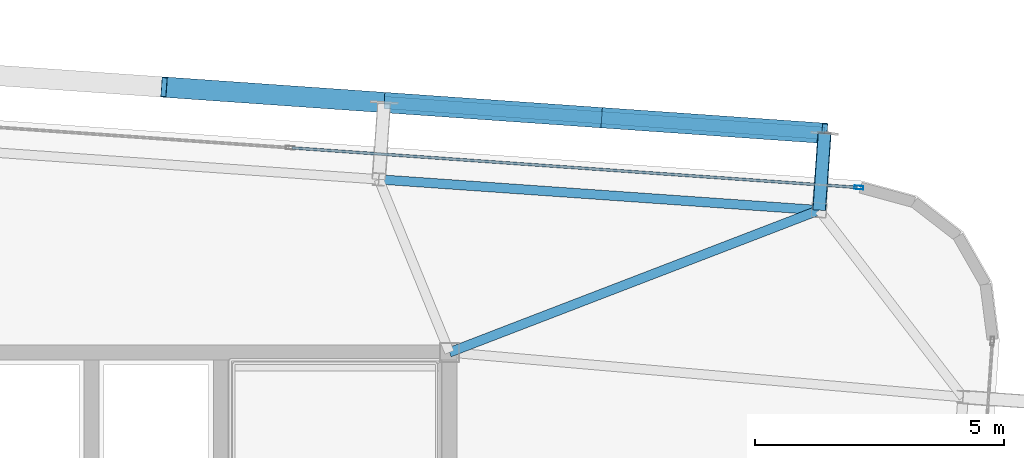
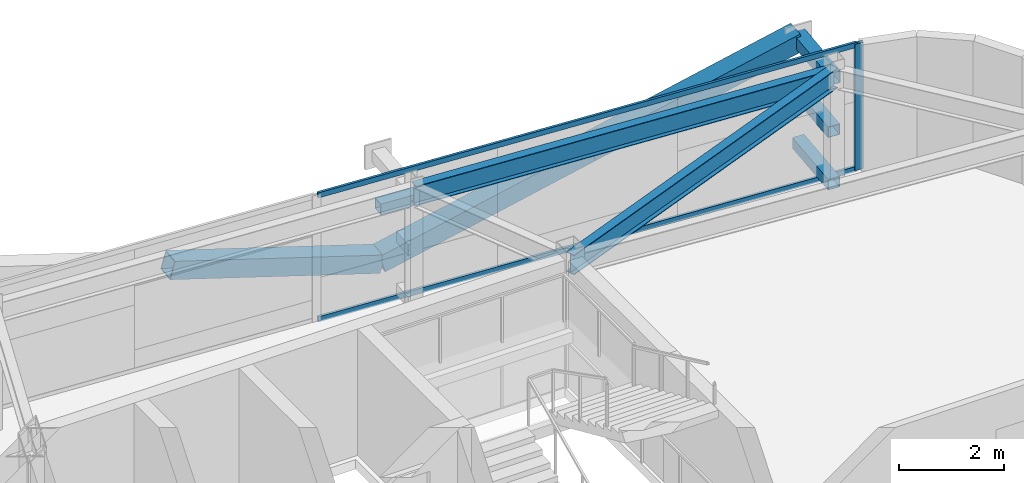
# One storey, part 24 of 39: 10 members, 2 beams, 1 element without a shape of its own.
"""IFC4 building model written with IfcOpenShell, lengths in metres."""

from ifc_helpers import new_model, si_unit, direction, frame, origin, origin_2d, place, context, subcontext, project, spatial, hollow_rectangle, i_section, extrude, source, transform, mapped, material, layer, layer_set, material_profile, profile_set, type_object, element, aggregate, save


model = new_model("IFC4")

# Units and contexts
model_context = context("Model", 3, precision=1e-05, world=origin(), true_north=direction((0.0, 1.0)))
body_context = subcontext(model_context, "Body", "Model", "MODEL_VIEW")
ifc_project = project(units=[si_unit("LENGTHUNIT", "METRE"), si_unit("AREAUNIT", "SQUARE_METRE"), si_unit("VOLUMEUNIT", "CUBIC_METRE"), si_unit("PLANEANGLEUNIT", "RADIAN"), si_unit("MASSUNIT", "GRAM", prefix="KILO")], contexts=[model_context])

# Site, building, storey
site_placement = place(None, origin())
site = spatial("IfcSite", under=ifc_project, at=site_placement, CompositionType="ELEMENT")
building_placement = place(site_placement, origin())
building = spatial("IfcBuilding", under=site, at=building_placement, Name="Taldren Reach Tower", CompositionType="ELEMENT")
storey_placement = place(building_placement, frame((0.0, 0.0, 151.89990234375)))
storey = spatial("IfcBuildingStorey", under=building, at=storey_placement, Name="L46", CompositionType="ELEMENT", Elevation=151.89990234375)

# Members
ifc_material_1 = material(Name="Steel Gr 450 (C450L0)", Category="steel")
ifc_material_profile_1 = material_profile(ifc_material_1, hollow_rectangle(XDim=0.27490234375, YDim=0.27490234375, WallThickness=0.00927734375, at=origin_2d()), Name="275x275x9.3SHS")
ifc_profile_set_1 = profile_set([ifc_material_profile_1], Name="Steel Gr 450 (C450L0)")
member_type_1 = type_object("IfcMemberType", Name="MB-TIE273", PredefinedType="STRUT", material=ifc_profile_set_1)
shared_shape_1 = source(origin(), body_context, "Body", "SweptSolid", [
    extrude(hollow_rectangle(XDim=0.27490234375, YDim=0.27490234375, WallThickness=0.00927734375, at=origin_2d()), origin(), (0.0, 0.0, 1.0), 1.5498046875),
])
member_1_placement = place(storey_placement, frame((58.4365234375, 34.861572265625, 2.650146484375), z_axis=(0.069780535098, 0.997562367434, 0.0), x_axis=(-0.997562367434, 0.069780535098, 0.0)))
element("IfcMember", 1, at=member_1_placement, inside=storey, type_object=member_type_1, Name="Exoskeleton diaphragm tie strut B3-N6 L46", PredefinedType="STRUT", context=body_context, shape_type="MappedRepresentation", body=[
    mapped(shared_shape_1, transform((0.0, 0.0, 0.0), scale=1.0)),
])
ifc_material_2 = material(Name="Steel Gr 350 (C350L0)", Category="steel")
ifc_material_profile_2 = material_profile(ifc_material_2, hollow_rectangle(XDim=0.25, YDim=0.25, WallThickness=0.010009765625, at=origin_2d()), Name="250x250x10.0SHS")
ifc_profile_set_2 = profile_set([ifc_material_profile_2], Name="Steel Gr 350 (C350L0)")
member_type_2 = type_object("IfcMemberType", Name="MB-POST250", PredefinedType="POST", material=ifc_profile_set_2)
shared_shape_2 = source(origin(), body_context, "Body", "SweptSolid", [
    extrude(hollow_rectangle(XDim=0.25, YDim=0.25, WallThickness=0.010009765625, at=origin_2d()), origin(), (0.0, 0.0, 1.0), 1.5498046875),
])
for number, where, z_axis, x_axis, name in (
    (2, (58.4365234375, 34.861572265625, 0.22021484375), (0.069780535098, 0.997562367434, 0.0), (-0.997562367434, 0.069780535098, 0.0), "Exoskeleton base diaphragm tie strut B3-N6 L46"),
    (3, (58.4365234375, 34.861572265625, 1.43505859375), (0.069780535098, 0.997562367434, 0.0), (-0.997562367434, 0.069780535098, 0.0), "Exoskeleton mid-tier diaphragm tie B3-N6 L46"),
):
    element("IfcMember", number, at=place(storey_placement, frame(where, z_axis=z_axis, x_axis=x_axis)), inside=storey, type_object=member_type_2, Name=name, PredefinedType="POST", context=body_context, shape_type="MappedRepresentation", body=[
        mapped(shared_shape_2, transform((0.0, 0.0, 0.0), scale=1.0)),
    ])

# Beams
ifc_material_3 = material(Name="Steel Gr 350 (350PLUS)", Category="steel")
ifc_material_profile_3 = material_profile(ifc_material_3, i_section(OverallWidth=0.18994140625, OverallDepth=0.4541015625, WebThickness=0.008544921875, FlangeThickness=0.0126953125, at=origin_2d()), Name="460UB67.1")
ifc_profile_set_3 = profile_set([ifc_material_profile_3], Name="Steel Gr 350 (350PLUS)")
beam_type_1 = type_object("IfcBeamType", Name="SP-UB460B", PredefinedType="SPANDREL", material=ifc_profile_set_3)
shared_shape_3 = source(origin(), body_context, "Body", "SweptSolid", [
    extrude(i_section(OverallWidth=0.18994140625, OverallDepth=0.4541015625, WebThickness=0.008544921875, FlangeThickness=0.0126953125, at=origin_2d()), origin(), (0.0, 0.0, 1.0), 8.880126953125),
])
beam_1_placement = place(storey_placement, frame((58.4365234375, 34.861572265625, 2.703125), z_axis=(-0.997564479639, 0.069750333063, 0.0), x_axis=(-0.069750333063, -0.997564479639, 0.0)))
element("IfcBeam", 4, at=beam_1_placement, inside=storey, type_object=beam_type_1, Name="Perimeter spandrel B3 N6-N5 L46", PredefinedType="SPANDREL", context=body_context, shape_type="MappedRepresentation", body=[
    mapped(shared_shape_3, transform((0.0, 0.0, 0.0), scale=1.0)),
])
ifc_material_profile_4 = material_profile(ifc_material_3, i_section(OverallWidth=0.19091796875, OverallDepth=0.4599609375, WebThickness=0.010009765625, FlangeThickness=0.01611328125, at=origin_2d()), Name="460UB82.1")
ifc_profile_set_4 = profile_set([ifc_material_profile_4], Name="Steel Gr 350 (350PLUS)")
beam_type_2 = type_object("IfcBeamType", Name="BM-UB460A", PredefinedType="BEAM", material=ifc_profile_set_4)
shared_shape_4 = source(origin(), body_context, "Body", "SweptSolid", [
    extrude(i_section(OverallWidth=0.19091796875, OverallDepth=0.4599609375, WebThickness=0.010009765625, FlangeThickness=0.01611328125, at=origin_2d()), origin(), (0.0, 0.0, 1.0), 7.968017578125),
])
beam_2_placement = place(storey_placement, frame((51.0, 32.0, 2.7001953125), z_axis=(0.933287947144, 0.359128956943, 0.0), x_axis=(-0.359128956943, 0.933287947144, 0.0)))
element("IfcBeam", 5, at=beam_2_placement, inside=storey, type_object=beam_type_2, Name="Primary floor girder B3-N6 L46", PredefinedType="BEAM", context=body_context, shape_type="MappedRepresentation", body=[
    mapped(shared_shape_4, transform((0.0, 0.0, 0.0), scale=1.0)),
])

# Members
shared_shape_5 = source(origin(), body_context, "Body", "SweptSolid", [
    extrude(hollow_rectangle(XDim=0.25, YDim=0.25, WallThickness=0.010009765625, at=origin_2d()), origin(), (0.0, 0.0, 1.0), 8.880126953125),
])
member_2_placement = place(storey_placement, frame((49.686279296875, 37.02734375, 1.43505859375), z_axis=(0.997562566276, -0.06977769246, 0.0), x_axis=(0.06977769246, 0.997562566276, 0.0)))
element("IfcMember", 6, at=member_2_placement, inside=storey, type_object=member_type_2, Name="Exoskeleton mid-height ring chord B3-N5 L46", PredefinedType="POST", context=body_context, shape_type="MappedRepresentation", body=[
    mapped(shared_shape_5, transform((0.0, 0.0, 0.0), scale=1.0)),
])
ifc_material_profile_5 = material_profile(ifc_material_1, hollow_rectangle(XDim=0.409912109375, YDim=0.409912109375, WallThickness=0.01611328125, at=origin_2d()), Name="410x410x16.0SHS")
ifc_profile_set_5 = profile_set([ifc_material_profile_5], Name="Steel Gr 450 (C450L0)")
member_type_3 = type_object("IfcMemberType", Name="MB-EXO406", PredefinedType="BRACE", material=ifc_profile_set_5)
shared_shape_6 = source(origin(), body_context, "Body", "SweptSolid", [
    extrude(hollow_rectangle(XDim=0.409912109375, YDim=0.409912109375, WallThickness=0.01611328125, at=origin_2d()), origin(), (0.0, 0.0, 1.0), 4.603271484375),
])
for number, where, z_axis, x_axis, name in (
    (7, (49.686279296875, 37.02734375, 0.22021484375), (-0.962199253371, 0.067251055742, 0.263912660389), (-0.069722973508, -0.997566392259, 0.0), "Exoskeleton Diagrid Brace B3-N4 L46"),
    (8, (49.686279296875, 37.02734375, 0.22021484375), (0.962195820062, -0.067303852699, 0.263911718699), (0.06977769246, 0.997562566276, 0.0), "Exoskeleton Diagrid Brace B3-N5 L46"),
    (9, (54.115478515625, 36.717529296875, 1.43505859375), (0.962182351074, -0.067302910567, 0.263961060594), (0.06977769246, 0.997562566276, 0.0), "Exoskeleton Diagrid Brace B3-N5 L46"),
):
    element("IfcMember", number, at=place(storey_placement, frame(where, z_axis=z_axis, x_axis=x_axis)), inside=storey, type_object=member_type_3, Name=name, PredefinedType="BRACE", context=body_context, shape_type="MappedRepresentation", body=[
        mapped(shared_shape_6, transform((0.0, 0.0, 0.0), scale=1.0)),
    ])

# Curtain wall, members
ifc_material_4 = material(Name="Aluminium and Low-E Glass Unitised System", Category="aluminium")
ifc_layer = layer(ifc_material_4, 0.159912109375)
ifc_layer_set = layer_set([ifc_layer], Name="Aluminium and Low-E Glass Unitised System")
curtain_wall_type = type_object("IfcCurtainWallType", Name="CW-SYS-4", PredefinedType="NOTDEFINED", material=ifc_layer_set)
curtain_wall_placement = place(storey_placement, origin())
curtain_wall = element("IfcCurtainWall", 10, at=curtain_wall_placement, inside=storey, type_object=curtain_wall_type, Name="Unitised curtain wall CW-L46-N", PredefinedType="NOTDEFINED")
ifc_material_5 = material(Name="Anodised Aluminium 6063-T6", Category="aluminium")
ifc_material_profile_6 = material_profile(ifc_material_5, hollow_rectangle(XDim=0.070068359375, YDim=0.179931640625, WallThickness=0.00390625, at=origin_2d()), Name="ALU-180x70x4RHS")
ifc_profile_set_6 = profile_set([ifc_material_profile_6], Name="Anodised Aluminium 6063-T6")
member_type_4 = type_object("IfcMemberType", Name="CW-MUL-180", PredefinedType="MULLION", material=ifc_profile_set_6)
shared_shape_7 = source(origin(), body_context, "Body", "SweptSolid", [
    extrude(hollow_rectangle(XDim=0.070068359375, YDim=0.179931640625, WallThickness=0.00390625, at=origin_2d()), origin(), (0.0, 0.0, 1.0), 2.93017578125),
])
member_3_placement = place(storey_placement, frame((59.235107421875, 35.31689453125, 0.0), z_axis=(0.0, 0.0, 1.0), x_axis=(-0.06975651593, -0.99756404731, 0.0)))
member_3 = element("IfcMember", 11, at=member_3_placement, type_object=member_type_4, Name="CW-4 mullion 1", PredefinedType="MULLION", context=body_context, shape_type="MappedRepresentation", body=[
    mapped(shared_shape_7, transform((0.0, 0.0, 0.0), scale=1.0)),
])
ifc_material_profile_7 = material_profile(ifc_material_5, hollow_rectangle(XDim=0.054931640625, YDim=0.1201171875, WallThickness=0.0029296875, at=origin_2d()), Name="ALU-120x55x3RHS")
ifc_profile_set_7 = profile_set([ifc_material_profile_7], Name="Anodised Aluminium 6063-T6")
member_type_5 = type_object("IfcMemberType", Name="CW-TRN-135", PredefinedType="USERDEFINED", material=ifc_profile_set_7)
shared_shape_8 = source(origin(), body_context, "Body", "SweptSolid", [
    extrude(hollow_rectangle(XDim=0.054931640625, YDim=0.1201171875, WallThickness=0.0029296875, at=origin_2d()), origin(), (0.0, 0.0, 1.0), 11.39501953125),
])
member_4_placement = place(storey_placement, frame((59.2001953125, 35.3193359375, 0.027587890625), z_axis=(-0.997563740682, 0.069760900766, 0.0), x_axis=(-0.069760900766, -0.997563740682, 0.0)))
member_4 = element("IfcMember", 12, at=member_4_placement, type_object=member_type_5, Name="CW-4 transom 1.1", ObjectType="TRANSOM", PredefinedType="USERDEFINED", context=body_context, shape_type="MappedRepresentation", body=[
    mapped(shared_shape_8, transform((0.0, 0.0, 0.0), scale=1.0)),
])
member_5_placement = place(storey_placement, frame((59.2001953125, 35.3193359375, 2.902587890625), z_axis=(-0.997563740682, 0.069760900766, 0.0), x_axis=(-0.069760900766, -0.997563740682, 0.0)))
member_5 = element("IfcMember", 13, at=member_5_placement, type_object=member_type_5, Name="CW-4 transom 1.2", ObjectType="TRANSOM", PredefinedType="USERDEFINED", context=body_context, shape_type="MappedRepresentation", body=[
    mapped(shared_shape_8, transform((0.0, 0.0, 0.0), scale=1.0)),
])
aggregate(curtain_wall, [member_3, member_4, member_5])

save(model, "model.ifc")
